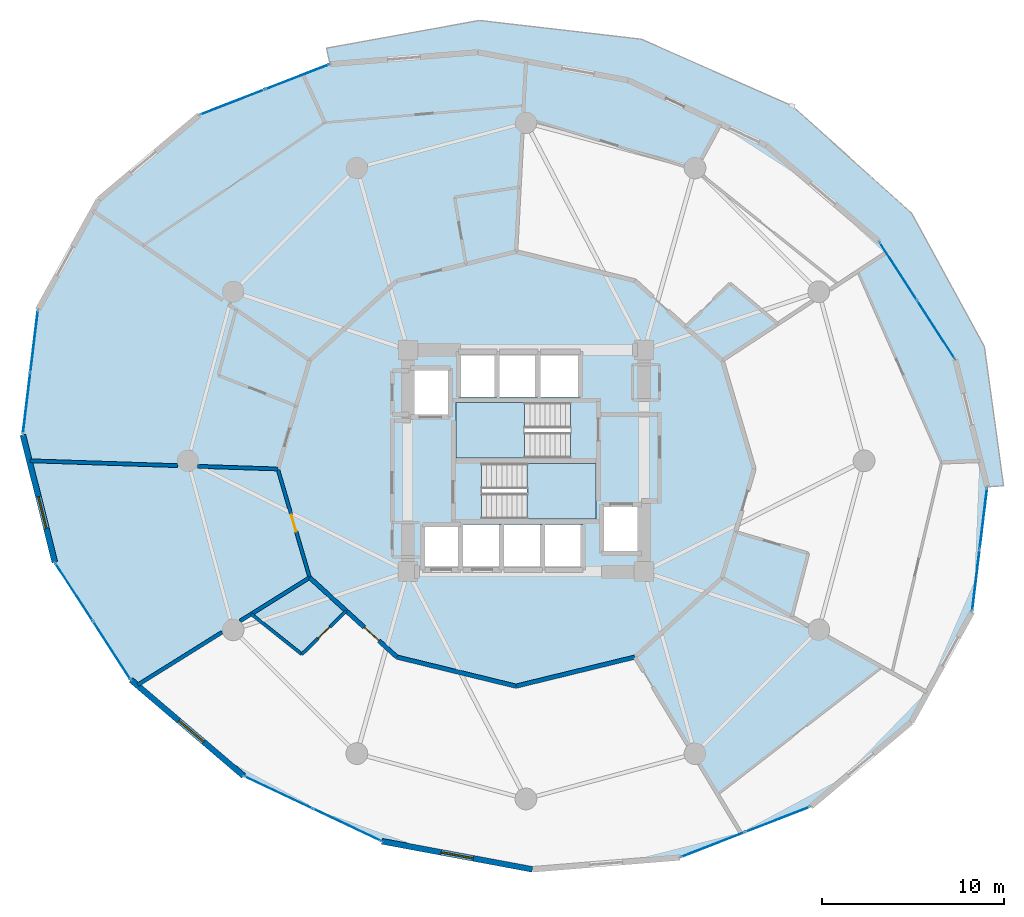
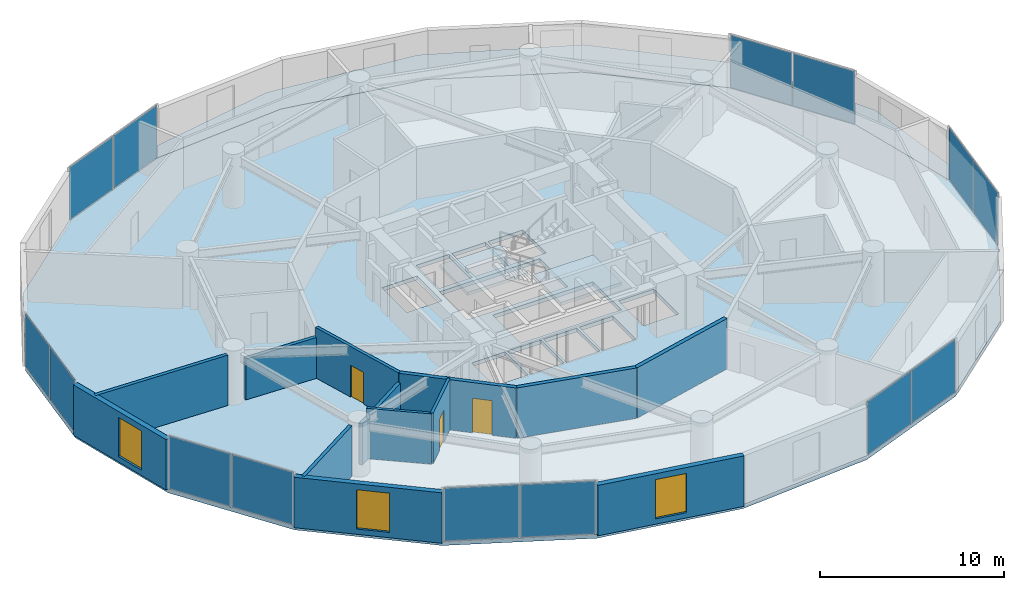
# One storey, part 20 of 26: 14 plates, 14 walls, 4 slabs, 3 doors, 3 windows, 6 openings, 9 elements without a shape of their own.
"""IFC4 building model written with IfcOpenShell, lengths in metres."""

import ifcopenshell
import ifcopenshell.guid

model = None  # the IFC model being written
_history = None  # IfcOwnerHistory: only IFC2X3 demands one
_inside = {}  # id of a spatial element -> (the spatial element, [elements in it])
_under = {}  # id of a project, library or spatial element -> (it, [spatial elements below it])
_declared = {}  # id of a project -> (the project, [libraries it declares])
_typed = {}  # id of a type object -> (the type object, [elements of that type])
_made_of = {}  # id of a material, layer set ... -> (it, [elements and type objects made of it])


def new_model(schema):
    """Start an empty IFC model of exactly this schema.

    Asked for "IFC4X3", IfcOpenShell would pick the latest addendum, in which some entities
    have other attributes; the version numbers below select the first issue.
    IFC2X3 requires an IfcOwnerHistory on every rooted entity: one is made here for all.
    """
    global model, _history
    if schema == "IFC4X3":
        model = ifcopenshell.file(schema_version=(4, 3, 0, 0))
    else:
        model = ifcopenshell.file(schema=schema)
    _inside.clear()
    _under.clear()
    _declared.clear()
    _typed.clear()
    _made_of.clear()
    _history = None
    if model.schema == "IFC2X3":
        org = make("IfcOrganization", Name="unknown")
        user = make(
            "IfcPersonAndOrganization",
            ThePerson=make("IfcPerson", FamilyName="unknown"),
            TheOrganization=org,
        )
        app = make(
            "IfcApplication",
            ApplicationDeveloper=org,
            Version="unknown",
            ApplicationFullName="unknown",
            ApplicationIdentifier="unknown",
        )
        _history = make(
            "IfcOwnerHistory",
            OwningUser=user,
            OwningApplication=app,
            ChangeAction="ADDED",
            CreationDate=0,
        )
    return model


def make(cls, **values):
    """One entity of the class cls with the attributes given. An attribute that is None is left unset."""
    return model.create_entity(
        cls, **{name: value for name, value in values.items() if value is not None}
    )


def rooted(cls, **values):
    """An entity with a GlobalId (a new one), such as an element, a storey or a relation."""
    return make(cls, GlobalId=ifcopenshell.guid.new(), OwnerHistory=_history, **values)


def si_unit(unit_type, name, prefix=None):
    """IfcSIUnit, for example si_unit("LENGTHUNIT", "METRE", prefix="MILLI")."""
    return make("IfcSIUnit", UnitType=unit_type, Prefix=prefix, Name=name)


def assignment(units):
    """IfcUnitAssignment: the units of a project."""
    return None if units is None else make("IfcUnitAssignment", Units=units)


def point(xyz):
    """IfcCartesianPoint."""
    return None if xyz is None else make("IfcCartesianPoint", Coordinates=xyz)


def direction(xyz):
    """IfcDirection."""
    return None if xyz is None else make("IfcDirection", DirectionRatios=xyz)


def frame(location, z_axis=None, x_axis=None):
    """IfcAxis2Placement3D, a coordinate frame: its origin and axes. An axis left out is left unset."""
    return make(
        "IfcAxis2Placement3D",
        Location=point(location),
        Axis=direction(z_axis),
        RefDirection=direction(x_axis),
    )


def frame_2d(location, x_axis=None):
    """IfcAxis2Placement2D, a coordinate frame in the plane: its origin and x axis."""
    return make(
        "IfcAxis2Placement2D", Location=point(location), RefDirection=direction(x_axis)
    )


def origin():
    """The frame at (0, 0, 0) with its axes left unset."""
    return frame((0.0, 0.0, 0.0))


def origin_2d():
    """The frame at (0, 0) in the plane with its x axis left unset."""
    return frame_2d((0.0, 0.0))


def place(relative_to, where):
    """IfcLocalPlacement: puts the frame where relative to a parent placement (None: the world)."""
    return make(
        "IfcLocalPlacement", PlacementRelTo=relative_to, RelativePlacement=where
    )


def context(
    kind, dimensions, precision=None, world=None, true_north=None, identifier=None
):
    """IfcGeometricRepresentationContext, for example the 3D "Model" context."""
    return make(
        "IfcGeometricRepresentationContext",
        ContextIdentifier=identifier,
        ContextType=kind,
        CoordinateSpaceDimension=dimensions,
        Precision=precision,
        WorldCoordinateSystem=world,
        TrueNorth=true_north,
    )


def subcontext(parent, identifier, kind, view, scale=None):
    """IfcGeometricRepresentationSubContext, for example "Body" below "Model"."""
    return make(
        "IfcGeometricRepresentationSubContext",
        ContextIdentifier=identifier,
        ContextType=kind,
        ParentContext=parent,
        TargetScale=scale,
        TargetView=view,
    )


def project(units=None, contexts=None):
    """IfcProject with its units and contexts."""
    return rooted(
        "IfcProject",
        Name="project",
        RepresentationContexts=contexts,
        UnitsInContext=assignment(units),
    )


def spatial(cls, under=None, at=None, **own):
    """A site, building, storey or space (cls), placed at a placement, below another one or the project."""
    s = rooted(cls, ObjectPlacement=at, **own)
    if under is not None:
        _under.setdefault(under.id(), (under, []))[1].append(s)
    return s


def polyline(points):
    """IfcPolyline through the points."""
    return make("IfcPolyline", Points=[point(p) for p in points])


def profile(cls, at=None, kind="AREA", **sizes):
    """A parametric profile (cls). Its sizes go by their IFC names, for example OverallWidth=200.0."""
    return make(cls, ProfileType=kind, Position=at, **sizes)


def rectangle(**sizes):
    """IfcRectangleProfileDef."""
    return profile("IfcRectangleProfileDef", **sizes)


def outline(outer, holes=None, kind="AREA"):
    """IfcArbitraryClosedProfileDef: a profile drawn as a closed curve; with holes, ...WithVoids."""
    if holes is None:
        return make("IfcArbitraryClosedProfileDef", ProfileType=kind, OuterCurve=outer)
    return make(
        "IfcArbitraryProfileDefWithVoids",
        ProfileType=kind,
        OuterCurve=outer,
        InnerCurves=holes,
    )


def extrude(swept, where, along, depth):
    """IfcExtrudedAreaSolid: the profile swept, set in the frame where, extruded along a direction by depth."""
    return make(
        "IfcExtrudedAreaSolid",
        SweptArea=swept,
        Position=where,
        ExtrudedDirection=direction(along),
        Depth=depth,
    )


def shape(context_of_items, identifier, shape_type, items):
    """IfcShapeRepresentation: the items that make up one representation, for example the "Body"."""
    return make(
        "IfcShapeRepresentation",
        ContextOfItems=context_of_items,
        RepresentationIdentifier=identifier,
        RepresentationType=shape_type,
        Items=items,
    )


def source(mapping_origin, context_of_items, identifier, shape_type, items):
    """IfcRepresentationMap: a shape defined once, which mapped items show again and again."""
    return make(
        "IfcRepresentationMap",
        MappingOrigin=mapping_origin,
        MappedRepresentation=shape(context_of_items, identifier, shape_type, items),
    )


def transform(
    local_origin,
    x_axis=None,
    y_axis=None,
    z_axis=None,
    scale=None,
    scale2=None,
    scale3=None,
    uniform=True,
):
    """IfcCartesianTransformationOperator3D, or its non-uniform kind. x_axis, y_axis, z_axis: its Axis1, 2, 3."""
    if uniform:
        return make(
            "IfcCartesianTransformationOperator3D",
            Axis1=direction(x_axis),
            Axis2=direction(y_axis),
            LocalOrigin=point(local_origin),
            Scale=scale,
            Axis3=direction(z_axis),
        )
    return make(
        "IfcCartesianTransformationOperator3DnonUniform",
        Axis1=direction(x_axis),
        Axis2=direction(y_axis),
        LocalOrigin=point(local_origin),
        Scale=scale,
        Axis3=direction(z_axis),
        Scale2=scale2,
        Scale3=scale3,
    )


def mapped(mapping_source, mapping_target):
    """IfcMappedItem: shows the shape of a source again, moved by a transform."""
    return make(
        "IfcMappedItem", MappingSource=mapping_source, MappingTarget=mapping_target
    )


def material(Name=None, Category=None):
    """IfcMaterial."""
    return make("IfcMaterial", Name=Name, Category=Category)


def layer(
    of_material, thickness, ventilated=None, Name=None, Category=None, Priority=None
):
    """IfcMaterialLayer: one layer of a wall or slab, of a material (None: an air gap)."""
    return make(
        "IfcMaterialLayer",
        Material=of_material,
        LayerThickness=thickness,
        IsVentilated=ventilated,
        Name=Name,
        Category=Category,
        Priority=Priority,
    )


def layer_set(layers, Name=None):
    """IfcMaterialLayerSet."""
    return make("IfcMaterialLayerSet", MaterialLayers=layers, LayerSetName=Name)


def made_of(thing, what):
    """Note that an element or type object is made of a material, layer set ...; save() writes the relation."""
    if what is not None:
        _made_of.setdefault(what.id(), (what, []))[1].append(thing)
    return thing


def type_object(cls, material=None, **own):
    """A type object (cls), such as IfcWallType, which elements share."""
    return made_of(rooted(cls, **own), material)


def element(
    cls,
    number,
    at=None,
    inside=None,
    cuts=None,
    type_object=None,
    material=None,
    context=None,
    identifier="Body",
    shape_type=None,
    held_by="IfcProductDefinitionShape",
    body=None,
    shapes=None,
    **own,
):
    """One element of the class cls, such as IfcWall. Its Tag is "e" and its number.

    at: its placement. inside: the storey or other place that contains it. cuts: it is an
    opening in that element (IfcRelVoidsElement). A single representation is given by context,
    identifier, shape_type and body (its items); several are given by shapes. held_by: the class
    of the entity that holds the representations. save() writes the other relations.
    """
    e = rooted(cls, Tag="e%d" % number, ObjectPlacement=at, **own)
    if body is not None:
        shapes = [shape(context, identifier, shape_type, body)]
    if shapes is not None:
        e.Representation = make(held_by, Representations=shapes)
    if inside is not None:
        _inside.setdefault(inside.id(), (inside, []))[1].append(e)
    if cuts is not None:
        rooted(
            "IfcRelVoidsElement", RelatingBuildingElement=cuts, RelatedOpeningElement=e
        )
    if type_object is not None:
        _typed.setdefault(type_object.id(), (type_object, []))[1].append(e)
    return made_of(e, material)


def fill(opening, filler):
    """IfcRelFillsElement: the door or window that sits in an opening."""
    return rooted(
        "IfcRelFillsElement",
        RelatingOpeningElement=opening,
        RelatedBuildingElement=filler,
    )


def aggregate(whole, parts):
    """IfcRelAggregates: a whole, such as a stair, and the parts it consists of."""
    return rooted("IfcRelAggregates", RelatingObject=whole, RelatedObjects=parts)


def save(model, path):
    """Write the relations noted so far, then the file.

    IfcRelAggregates (storeys below a building ...), IfcRelContainedInSpatialStructure (elements
    in a storey), IfcRelDefinesByType, IfcRelAssociatesMaterial and IfcRelDeclares: one each for
    every whole, place, type object, material and project.
    """
    for whole, parts in _under.values():
        aggregate(whole, parts)
    for where, things in _inside.values():
        rooted(
            "IfcRelContainedInSpatialStructure",
            RelatedElements=things,
            RelatingStructure=where,
        )
    for kind, things in _typed.values():
        rooted("IfcRelDefinesByType", RelatedObjects=things, RelatingType=kind)
    for what, things in _made_of.values():
        rooted("IfcRelAssociatesMaterial", RelatedObjects=things, RelatingMaterial=what)
    for by, libraries in _declared.values():
        rooted("IfcRelDeclares", RelatingContext=by, RelatedDefinitions=libraries)
    model.write(path)


model = new_model("IFC4")

# Units and contexts
model_context = context("Model", 3, precision=1e-05, world=origin(), true_north=direction((0.0, 1.0)))
body_context = subcontext(model_context, "Body", "Model", "MODEL_VIEW")
ifc_project = project(units=[si_unit("LENGTHUNIT", "METRE"), si_unit("AREAUNIT", "SQUARE_METRE"), si_unit("VOLUMEUNIT", "CUBIC_METRE"), si_unit("PLANEANGLEUNIT", "RADIAN"), si_unit("MASSUNIT", "GRAM", prefix="KILO")], contexts=[model_context])

# Site, building, storey
site_placement = place(None, origin())
site = spatial("IfcSite", under=ifc_project, at=site_placement, CompositionType="ELEMENT")
building_placement = place(site_placement, origin())
building = spatial("IfcBuilding", under=site, at=building_placement, Name="Solvirekh Grand Hotel", CompositionType="ELEMENT")
storey_placement = place(building_placement, frame((0.0, 0.0, 68.0)))
storey = spatial("IfcBuildingStorey", under=building, at=storey_placement, Name="L16", CompositionType="ELEMENT", Elevation=68.0)

# Slab
ifc_material_1 = material(Name="Concrete C50/60", Category="concrete")
ifc_layer_1 = layer(ifc_material_1, 0.215087890625)
ifc_layer_set_1 = layer_set([ifc_layer_1], Name="Concrete C50/60")
slab_type_1 = type_object("IfcSlabType", Name="ExtCrescentBalc_215", PredefinedType="FLOOR", material=ifc_layer_set_1)
slab_1_placement = place(storey_placement, frame((0.0, 0.0, -0.215087890625)))
element("IfcSlab", 1, at=slab_1_placement, inside=storey, type_object=slab_type_1, Name="L16 sweeping crescent balcony slab", PredefinedType="FLOOR", context=body_context, shape_type="SweptSolid", body=[
    extrude(outline(polyline([(26.27294921875, -1.3720703125), (25.214111328125, 6.2890625), (21.205078125, 13.6220703125), (14.633056640625, 19.528076171875), (6.34912109375, 23.18994140625), (-2.555908203125, 24.222900390625), (-10.971923828125, 22.696044921875), (-10.77392578125, 21.818115234375), (-2.65087890625, 22.47509765625), (5.618896484375, 20.93310546875), (13.22705078125, 17.341064453125), (19.427001953125, 12.052001953125), (23.613037109375, 5.5830078125), (25.375, -1.431884765625), (26.27294921875, -1.3720703125)])), origin(), (0.0, 0.0, 1.0), 0.215087890625),
])

# Stair, slab
ifc_material_2 = material(Name="Concrete C40/50", Category="concrete")
stair_type = type_object("IfcStairType", Name="Stair_Core_1450", PredefinedType="HALF_TURN_STAIR", material=ifc_material_2)
stair_1_placement = place(storey_placement, origin())
stair_1 = element("IfcStair", 2, at=stair_1_placement, inside=storey, type_object=stair_type, Name="L16 Enclosed exit stair ST-1", PredefinedType="HALF_TURN_STAIR")
ifc_layer_2 = layer(ifc_material_2, 0.199951171875)
ifc_layer_set_2 = layer_set([ifc_layer_2], Name="Concrete C40/50")
slab_type_2 = type_object("IfcSlabType", Name="Landing_Stair_200", PredefinedType="LANDING", material=ifc_layer_set_2)
slab_2_placement = place(storey_placement, frame((0.0, 0.0, 1.60009765625)))
slab_2 = element("IfcSlab", 3, at=slab_2_placement, type_object=slab_type_2, Name="ST-1 landing 1", PredefinedType="LANDING", context=body_context, shape_type="SweptSolid", body=[
    extrude(outline(polyline([(0.070068359375, -3.199951171875), (3.85009765625, -3.199951171875), (3.85009765625, -0.14990234375), (0.070068359375, -0.14990234375), (0.070068359375, -3.199951171875)])), origin(), (0.0, 0.0, 1.0), 0.199951171875),
])
aggregate(stair_1, [slab_2])

stair_2_placement = place(storey_placement, origin())
stair_2 = element("IfcStair", 4, at=stair_2_placement, inside=storey, type_object=stair_type, Name="L16 Enclosed exit stair ST-2", PredefinedType="HALF_TURN_STAIR")
slab_3_placement = place(storey_placement, frame((0.0, 0.0, 1.60009765625)))
slab_3 = element("IfcSlab", 5, at=slab_3_placement, type_object=slab_type_2, Name="ST-2 landing 1", PredefinedType="LANDING", context=body_context, shape_type="SweptSolid", body=[
    extrude(outline(polyline([(-0.070068359375, 3.199951171875), (-3.85009765625, 3.199951171875), (-3.85009765625, 0.14990234375), (-0.070068359375, 0.14990234375), (-0.070068359375, 3.199951171875)])), origin(), (0.0, 0.0, 1.0), 0.199951171875),
])
aggregate(stair_2, [slab_3])

# Slab
ifc_layer_3 = layer(ifc_material_1, 0.260009765625)
ifc_layer_set_3 = layer_set([ifc_layer_3], Name="Concrete C50/60")
slab_type_3 = type_object("IfcSlabType", Name="Slab_GuestZ1_260", PredefinedType="FLOOR", material=ifc_layer_set_3)
slab_4_placement = place(storey_placement, frame((0.0, 0.0, -0.260009765625)))
element("IfcSlab", 6, at=slab_4_placement, inside=storey, type_object=slab_type_3, Name="L16 structural floor slab", PredefinedType="FLOOR", context=body_context, shape_type="SweptSolid", body=[
    extrude(outline(polyline([(24.5400390625, -8.30810546875), (25.375, -1.431884765625), (23.613037109375, 5.5830078125), (19.427001953125, 12.052001953125), (13.22705078125, 17.341064453125), (5.618896484375, 20.93310546875), (-2.65087890625, 22.47509765625), (-10.77392578125, 21.818115234375), (-17.955078125, 19.02490234375), (-23.490966796875, 14.3701171875), (-26.840087890625, 8.30810546875), (-27.675048828125, 1.431884765625), (-25.9130859375, -5.5830078125), (-21.72705078125, -12.052001953125), (-15.527099609375, -17.341064453125), (-7.9189453125, -20.93310546875), (0.35107421875, -22.47509765625), (8.47412109375, -21.818115234375), (15.655029296875, -19.02490234375), (21.19091796875, -14.3701171875), (24.5400390625, -8.30810546875)]), holes=[polyline([(-2.444091796875, -0.14990234375), (3.85009765625, -0.14990234375), (3.85009765625, -3.199951171875), (-2.444091796875, -3.199951171875), (-2.444091796875, -0.14990234375)]), polyline([(2.444091796875, 0.14990234375), (-3.85009765625, 0.14990234375), (-3.85009765625, 3.199951171875), (2.444091796875, 3.199951171875), (2.444091796875, 0.14990234375)]), polyline([(-5.699951171875, -3.5), (-3.60009765625, -3.5), (-3.60009765625, -6.0), (-5.699951171875, -6.0), (-5.699951171875, -3.5)]), polyline([(-3.449951171875, -3.5), (-1.35009765625, -3.5), (-1.35009765625, -6.0), (-3.449951171875, -6.0), (-3.449951171875, -3.5)]), polyline([(-1.199951171875, -3.5), (0.89990234375, -3.5), (0.89990234375, -6.0), (-1.199951171875, -6.0), (-1.199951171875, -3.5)]), polyline([(1.050048828125, -3.5), (3.14990234375, -3.5), (3.14990234375, -6.0), (1.050048828125, -6.0), (1.050048828125, -3.5)]), polyline([(-3.699951171875, 6.0), (-1.60009765625, 6.0), (-1.60009765625, 3.5), (-3.699951171875, 3.5), (-3.699951171875, 6.0)]), polyline([(-1.449951171875, 6.0), (0.64990234375, 6.0), (0.64990234375, 3.5), (-1.449951171875, 3.5), (-1.449951171875, 6.0)]), polyline([(0.800048828125, 6.0), (3.0, 6.0), (3.0, 3.5), (0.800048828125, 3.5), (0.800048828125, 6.0)]), polyline([(-6.35009765625, 5.10009765625), (-4.14990234375, 5.10009765625), (-4.14990234375, 2.39990234375), (-6.35009765625, 2.39990234375), (-6.35009765625, 5.10009765625)]), polyline([(4.14990234375, -2.39990234375), (6.35009765625, -2.39990234375), (6.35009765625, -5.10009765625), (4.14990234375, -5.10009765625), (4.14990234375, -2.39990234375)])]), origin(), (0.0, 0.0, 1.0), 0.260009765625),
])

# Curtain wall, plates
ifc_material_3 = material(Name="Anodized Bronze Aluminium 6063-T6", Category="aluminium")
ifc_layer_4 = layer(ifc_material_3, 0.18994140625)
ifc_layer_set_4 = layer_set([ifc_layer_4], Name="Anodized Bronze Aluminium 6063-T6")
curtain_wall_type = type_object("IfcCurtainWallType", Name="CW_Sys2_LowZoneFlushBronzeCW", PredefinedType="NOTDEFINED", material=ifc_layer_set_4)
curtain_wall_1_placement = place(storey_placement, origin())
curtain_wall_1 = element("IfcCurtainWall", 7, at=curtain_wall_1_placement, inside=storey, type_object=curtain_wall_type, Name="L16 unitised bronze-glass curtain wall CW-L16-C15", PredefinedType="NOTDEFINED")
ifc_material_4 = material(Name="Low-E Tinted Bronze Laminated Glass", Category="aluminium")
ifc_layer_5 = layer(ifc_material_4, 0.0380859375)
ifc_layer_set_5 = layer_set([ifc_layer_5], Name="Low-E Tinted Bronze Laminated Glass")
plate_type = type_object("IfcPlateType", Name="CWPanel_Low_38", PredefinedType="CURTAIN_PANEL", material=ifc_layer_set_5)
shared_shape_1 = source(origin(), body_context, "Body", "SweptSolid", [
    extrude(rectangle(XDim=4.1015625, YDim=0.0380859375, at=origin_2d()), origin(), (0.0, 0.0, 1.0), 3.47998046875),
])
plate_1_placement = place(storey_placement, frame((-13.609130859375, -18.24658203125, 0.06005859375), z_axis=(0.0, 0.0, 1.0), x_axis=(0.904279240306, -0.426941513035, 0.0)))
plate_1 = element("IfcPlate", 8, at=plate_1_placement, type_object=plate_type, Name="U02 panel 1.1", PredefinedType="CURTAIN_PANEL", context=body_context, shape_type="MappedRepresentation", body=[
    mapped(shared_shape_1, transform((0.0, 0.0, 0.0), x_axis=(1.0, 0.0, 0.0), y_axis=(0.0, 1.0, 0.0), z_axis=(0.0, 0.0, 1.0), scale=1.0)),
])
plate_2_placement = place(storey_placement, frame((-9.8369140625, -20.027587890625, 0.06005859375), z_axis=(0.0, 0.0, 1.0), x_axis=(0.904279240306, -0.426941513035, 0.0)))
plate_2 = element("IfcPlate", 9, at=plate_2_placement, type_object=plate_type, Name="U02 panel 2.1", PredefinedType="CURTAIN_PANEL", context=body_context, shape_type="MappedRepresentation", body=[
    mapped(shared_shape_1, transform((0.0, 0.0, 0.0), x_axis=(1.0, 0.0, 0.0), y_axis=(0.0, 1.0, 0.0), z_axis=(0.0, 0.0, 1.0), scale=1.0)),
])
aggregate(curtain_wall_1, [plate_1, plate_2])

curtain_wall_2_placement = place(storey_placement, origin())
curtain_wall_2 = element("IfcCurtainWall", 10, at=curtain_wall_2_placement, inside=storey, type_object=curtain_wall_type, Name="L16 unitised bronze-glass curtain wall CW-L16-C03", PredefinedType="NOTDEFINED")
shared_shape_2 = source(origin(), body_context, "Body", "SweptSolid", [
    extrude(rectangle(XDim=3.74755859375, YDim=0.0380859375, at=origin_2d()), origin(), (0.0, 0.0, 1.0), 3.47998046875),
])
plate_3_placement = place(storey_placement, frame((22.556884765625, 7.21484375, 0.06005859375), z_axis=(0.0, 0.0, 1.0), x_axis=(-0.543267421675, 0.839559711127, 0.0)))
plate_3 = element("IfcPlate", 11, at=plate_3_placement, type_object=plate_type, Name="U02 panel 1.1", PredefinedType="CURTAIN_PANEL", context=body_context, shape_type="MappedRepresentation", body=[
    mapped(shared_shape_2, transform((0.0, 0.0, 0.0), x_axis=(1.0, 0.0, 0.0), y_axis=(0.0, 1.0, 0.0), z_axis=(0.0, 0.0, 1.0), scale=1.0)),
])
plate_4_placement = place(storey_placement, frame((20.48291015625, 10.420166015625, 0.06005859375), z_axis=(0.0, 0.0, 1.0), x_axis=(-0.543267421675, 0.839559711127, 0.0)))
plate_4 = element("IfcPlate", 12, at=plate_4_placement, type_object=plate_type, Name="U02 panel 2.1", PredefinedType="CURTAIN_PANEL", context=body_context, shape_type="MappedRepresentation", body=[
    mapped(shared_shape_2, transform((0.0, 0.0, 0.0), x_axis=(1.0, 0.0, 0.0), y_axis=(0.0, 1.0, 0.0), z_axis=(0.0, 0.0, 1.0), scale=1.0)),
])
aggregate(curtain_wall_2, [plate_3, plate_4])

curtain_wall_3_placement = place(storey_placement, origin())
curtain_wall_3 = element("IfcCurtainWall", 13, at=curtain_wall_3_placement, inside=storey, type_object=curtain_wall_type, Name="L16 unitised bronze-glass curtain wall CW-L16-C08", PredefinedType="NOTDEFINED")
plate_5_placement = place(storey_placement, frame((-12.58544921875, 21.113525390625, 0.06005859375), z_axis=(0.0, 0.0, 1.0), x_axis=(-0.931987620979, -0.362490102407, 0.0)))
plate_5 = element("IfcPlate", 14, at=plate_5_placement, type_object=plate_type, Name="U02 panel 1.1", PredefinedType="CURTAIN_PANEL", context=body_context, shape_type="MappedRepresentation", body=[
    mapped(shared_shape_2, transform((0.0, 0.0, 0.0), x_axis=(1.0, 0.0, 0.0), y_axis=(0.0, 1.0, 0.0), z_axis=(0.0, 0.0, 1.0), scale=1.0)),
])
plate_6_placement = place(storey_placement, frame((-16.1435546875, 19.7294921875, 0.06005859375), z_axis=(0.0, 0.0, 1.0), x_axis=(-0.931987620979, -0.362490102407, 0.0)))
plate_6 = element("IfcPlate", 15, at=plate_6_placement, type_object=plate_type, Name="U02 panel 2.1", PredefinedType="CURTAIN_PANEL", context=body_context, shape_type="MappedRepresentation", body=[
    mapped(shared_shape_2, transform((0.0, 0.0, 0.0), x_axis=(1.0, 0.0, 0.0), y_axis=(0.0, 1.0, 0.0), z_axis=(0.0, 0.0, 1.0), scale=1.0)),
])
aggregate(curtain_wall_3, [plate_5, plate_6])

curtain_wall_4_placement = place(storey_placement, origin())
curtain_wall_4 = element("IfcCurtainWall", 16, at=curtain_wall_4_placement, inside=storey, type_object=curtain_wall_type, Name="L16 unitised bronze-glass curtain wall CW-L16-C13", PredefinedType="NOTDEFINED")
plate_7_placement = place(storey_placement, frame((-24.85693359375, -7.21484375, 0.06005859375), z_axis=(0.0, 0.0, 1.0), x_axis=(0.543267421675, -0.839559711127, 0.0)))
plate_7 = element("IfcPlate", 17, at=plate_7_placement, type_object=plate_type, Name="U02 panel 1.1", PredefinedType="CURTAIN_PANEL", context=body_context, shape_type="MappedRepresentation", body=[
    mapped(shared_shape_2, transform((0.0, 0.0, 0.0), x_axis=(1.0, 0.0, 0.0), y_axis=(0.0, 1.0, 0.0), z_axis=(0.0, 0.0, 1.0), scale=1.0)),
])
plate_8_placement = place(storey_placement, frame((-22.782958984375, -10.420166015625, 0.06005859375), z_axis=(0.0, 0.0, 1.0), x_axis=(0.543267421675, -0.839559711127, 0.0)))
plate_8 = element("IfcPlate", 18, at=plate_8_placement, type_object=plate_type, Name="U02 panel 2.1", PredefinedType="CURTAIN_PANEL", context=body_context, shape_type="MappedRepresentation", body=[
    mapped(shared_shape_2, transform((0.0, 0.0, 0.0), x_axis=(1.0, 0.0, 0.0), y_axis=(0.0, 1.0, 0.0), z_axis=(0.0, 0.0, 1.0), scale=1.0)),
])
aggregate(curtain_wall_4, [plate_7, plate_8])

curtain_wall_5_placement = place(storey_placement, origin())
curtain_wall_5 = element("IfcCurtainWall", 19, at=curtain_wall_5_placement, inside=storey, type_object=curtain_wall_type, Name="L16 unitised bronze-glass curtain wall CW-L16-C18", PredefinedType="NOTDEFINED")
plate_9_placement = place(storey_placement, frame((10.28564453125, -21.113525390625, 0.06005859375), z_axis=(0.0, 0.0, 1.0), x_axis=(0.931987620979, 0.362490102407, 0.0)))
plate_9 = element("IfcPlate", 20, at=plate_9_placement, type_object=plate_type, Name="U02 panel 1.1", PredefinedType="CURTAIN_PANEL", context=body_context, shape_type="MappedRepresentation", body=[
    mapped(shared_shape_2, transform((0.0, 0.0, 0.0), x_axis=(1.0, 0.0, 0.0), y_axis=(0.0, 1.0, 0.0), z_axis=(0.0, 0.0, 1.0), scale=1.0)),
])
plate_10_placement = place(storey_placement, frame((13.843505859375, -19.7294921875, 0.06005859375), z_axis=(0.0, 0.0, 1.0), x_axis=(0.931987620979, 0.362490102407, 0.0)))
plate_10 = element("IfcPlate", 21, at=plate_10_placement, type_object=plate_type, Name="U02 panel 2.1", PredefinedType="CURTAIN_PANEL", context=body_context, shape_type="MappedRepresentation", body=[
    mapped(shared_shape_2, transform((0.0, 0.0, 0.0), x_axis=(1.0, 0.0, 0.0), y_axis=(0.0, 1.0, 0.0), z_axis=(0.0, 0.0, 1.0), scale=1.0)),
])
aggregate(curtain_wall_5, [plate_9, plate_10])

curtain_wall_6_placement = place(storey_placement, origin())
curtain_wall_6 = element("IfcCurtainWall", 22, at=curtain_wall_6_placement, inside=storey, type_object=curtain_wall_type, Name="L16 unitised bronze-glass curtain wall CW-L16-C01", PredefinedType="NOTDEFINED")
shared_shape_3 = source(origin(), body_context, "Body", "SweptSolid", [
    extrude(rectangle(XDim=3.358154296875, YDim=0.0380859375, at=origin_2d()), origin(), (0.0, 0.0, 1.0), 3.47998046875),
])
plate_11_placement = place(storey_placement, frame((24.7509765625, -6.571533203125, 0.06005859375), z_axis=(0.0, 0.0, 1.0), x_axis=(0.12055125539, 0.992707104248, 0.0)))
plate_11 = element("IfcPlate", 23, at=plate_11_placement, type_object=plate_type, Name="U02 panel 1.1", PredefinedType="CURTAIN_PANEL", context=body_context, shape_type="MappedRepresentation", body=[
    mapped(shared_shape_3, transform((0.0, 0.0, 0.0), x_axis=(1.0, 0.0, 0.0), y_axis=(0.0, 1.0, 0.0), z_axis=(0.0, 0.0, 1.0), scale=1.0)),
])
plate_12_placement = place(storey_placement, frame((25.1640625, -3.16845703125, 0.06005859375), z_axis=(0.0, 0.0, 1.0), x_axis=(0.12055125539, 0.992707104248, 0.0)))
plate_12 = element("IfcPlate", 24, at=plate_12_placement, type_object=plate_type, Name="U02 panel 2.1", PredefinedType="CURTAIN_PANEL", context=body_context, shape_type="MappedRepresentation", body=[
    mapped(shared_shape_3, transform((0.0, 0.0, 0.0), x_axis=(1.0, 0.0, 0.0), y_axis=(0.0, 1.0, 0.0), z_axis=(0.0, 0.0, 1.0), scale=1.0)),
])
aggregate(curtain_wall_6, [plate_11, plate_12])

curtain_wall_7_placement = place(storey_placement, origin())
curtain_wall_7 = element("IfcCurtainWall", 25, at=curtain_wall_7_placement, inside=storey, type_object=curtain_wall_type, Name="L16 unitised bronze-glass curtain wall CW-L16-C11", PredefinedType="NOTDEFINED")
plate_13_placement = place(storey_placement, frame((-27.05078125, 6.571533203125, 0.06005859375), z_axis=(0.0, 0.0, 1.0), x_axis=(-0.12055125539, -0.992707104248, 0.0)))
plate_13 = element("IfcPlate", 26, at=plate_13_placement, type_object=plate_type, Name="U02 panel 1.1", PredefinedType="CURTAIN_PANEL", context=body_context, shape_type="MappedRepresentation", body=[
    mapped(shared_shape_3, transform((0.0, 0.0, 0.0), x_axis=(1.0, 0.0, 0.0), y_axis=(0.0, 1.0, 0.0), z_axis=(0.0, 0.0, 1.0), scale=1.0)),
])
plate_14_placement = place(storey_placement, frame((-27.464111328125, 3.16845703125, 0.06005859375), z_axis=(0.0, 0.0, 1.0), x_axis=(-0.12055125539, -0.992707104248, 0.0)))
plate_14 = element("IfcPlate", 27, at=plate_14_placement, type_object=plate_type, Name="U02 panel 2.1", PredefinedType="CURTAIN_PANEL", context=body_context, shape_type="MappedRepresentation", body=[
    mapped(shared_shape_3, transform((0.0, 0.0, 0.0), x_axis=(1.0, 0.0, 0.0), y_axis=(0.0, 1.0, 0.0), z_axis=(0.0, 0.0, 1.0), scale=1.0)),
])
aggregate(curtain_wall_7, [plate_13, plate_14])

# Wall, opening, window
ifc_material_5 = material(Name="Precast concrete C45/55", Category="concrete")
ifc_layer_6 = layer(ifc_material_5, 0.320068359375)
ifc_layer_set_6 = layer_set([ifc_layer_6], Name="Precast concrete C45/55")
wall_type_1 = type_object("IfcWallType", Name="ExtLobbyWall_RC320", PredefinedType="SOLIDWALL", material=ifc_layer_set_6)
wall_1_placement = place(storey_placement, frame((-25.9130859375, -5.5830078125, 0.0), z_axis=(0.0, 0.0, 1.0), x_axis=(-0.243607685094, 0.969873855593, 0.0)))
wall_1 = element("IfcWall", 28, at=wall_1_placement, inside=storey, type_object=wall_type_1, Name="L16 exterior structural wall chord 12", PredefinedType="SOLIDWALL", context=body_context, shape_type="SweptSolid", body=[
    extrude(rectangle(XDim=7.23291015625, YDim=0.320068359375, at=frame_2d((3.616455078125, 0.0))), origin(), (0.0, 0.0, 1.0), 3.340087890625),
])
opening_1_placement = place(wall_1_placement, frame((1.923095703125, 0.0, 0.35009765625)))
opening_1 = element("IfcOpeningElement", 29, at=opening_1_placement, cuts=wall_1, Name="Opening W02", PredefinedType="OPENING", context=body_context, shape_type="SweptSolid", body=[
    extrude(rectangle(XDim=1.800048828125, YDim=2.60009765625, at=frame_2d((0.89990234375, 1.300048828125))), frame((0.0, 0.169921875, 0.0), z_axis=(0.0, -1.0, 0.0), x_axis=(1.0, 0.0, 0.0)), (0.0, 0.0, 1.0), 0.340087890625),
])
window_type = type_object("IfcWindowType", Name="Win_LobbyExt_1800X2600", PartitioningType="SINGLE_PANEL", PredefinedType="WINDOW", material=ifc_material_4)
window_1_placement = place(opening_1_placement, origin())
window_1 = element("IfcWindow", 30, at=window_1_placement, inside=storey, type_object=window_type, Name="L16 panoramic bronze-framed window 12", OverallHeight=2.60009765625, OverallWidth=1.800048828125, PartitioningType="SINGLE_PANEL", PredefinedType="WINDOW", context=body_context, shape_type="SweptSolid", body=[
    extrude(rectangle(XDim=1.800048828125, YDim=2.60009765625, at=frame_2d((0.89990234375, 1.300048828125))), frame((0.0, 0.030029296875, 0.0), z_axis=(0.0, -1.0, 0.0), x_axis=(1.0, 0.0, 0.0)), (0.0, 0.0, 1.0), 0.06005859375),
])
fill(opening_1, window_1)

wall_2_placement = place(storey_placement, frame((-15.527099609375, -17.341064453125, 0.0), z_axis=(0.0, 0.0, 1.0), x_axis=(-0.76078130933, 0.649008319958, 0.0)))
wall_2 = element("IfcWall", 31, at=wall_2_placement, inside=storey, type_object=wall_type_1, Name="L16 exterior structural wall chord 14", PredefinedType="SOLIDWALL", context=body_context, shape_type="SweptSolid", body=[
    extrude(rectangle(XDim=8.1494140625, YDim=0.320068359375, at=frame_2d((4.07470703125, 0.0))), origin(), (0.0, 0.0, 1.0), 3.340087890625),
])
opening_2_placement = place(wall_2_placement, frame((2.89208984375, 0.0, 0.35009765625)))
opening_2 = element("IfcOpeningElement", 32, at=opening_2_placement, cuts=wall_2, Name="Opening W02", PredefinedType="OPENING", context=body_context, shape_type="SweptSolid", body=[
    extrude(rectangle(XDim=1.800048828125, YDim=2.60009765625, at=frame_2d((0.89990234375, 1.300048828125))), frame((0.0, 0.169921875, 0.0), z_axis=(0.0, -1.0, 0.0), x_axis=(1.0, 0.0, 0.0)), (0.0, 0.0, 1.0), 0.340087890625),
])
window_2_placement = place(opening_2_placement, origin())
window_2 = element("IfcWindow", 33, at=window_2_placement, inside=storey, type_object=window_type, Name="L16 panoramic bronze-framed window 14", OverallHeight=2.60009765625, OverallWidth=1.800048828125, PartitioningType="SINGLE_PANEL", PredefinedType="WINDOW", context=body_context, shape_type="SweptSolid", body=[
    extrude(rectangle(XDim=1.800048828125, YDim=2.60009765625, at=frame_2d((0.89990234375, 1.300048828125))), frame((0.0, 0.030029296875, 0.0), z_axis=(0.0, -1.0, 0.0), x_axis=(1.0, 0.0, 0.0)), (0.0, 0.0, 1.0), 0.06005859375),
])
fill(opening_2, window_2)

wall_3_placement = place(storey_placement, frame((0.35107421875, -22.47509765625, 0.0), z_axis=(0.0, 0.0, 1.0), x_axis=(-0.983057640059, 0.183296689337, 0.0)))
wall_3 = element("IfcWall", 34, at=wall_3_placement, inside=storey, type_object=wall_type_1, Name="L16 exterior structural wall chord 16", PredefinedType="SOLIDWALL", context=body_context, shape_type="SweptSolid", body=[
    extrude(rectangle(XDim=8.41259765625, YDim=0.320068359375, at=frame_2d((4.206298828125, 0.0))), origin(), (0.0, 0.0, 1.0), 3.340087890625),
])
opening_3_placement = place(wall_3_placement, frame((3.305908203125, 0.0, 0.35009765625)))
opening_3 = element("IfcOpeningElement", 35, at=opening_3_placement, cuts=wall_3, Name="Opening W02", PredefinedType="OPENING", context=body_context, shape_type="SweptSolid", body=[
    extrude(rectangle(XDim=1.800048828125, YDim=2.60009765625, at=frame_2d((0.89990234375, 1.300048828125))), frame((0.0, 0.169921875, 0.0), z_axis=(0.0, -1.0, 0.0), x_axis=(1.0, 0.0, 0.0)), (0.0, 0.0, 1.0), 0.340087890625),
])
window_3_placement = place(opening_3_placement, origin())
window_3 = element("IfcWindow", 36, at=window_3_placement, inside=storey, type_object=window_type, Name="L16 panoramic bronze-framed window 16", OverallHeight=2.60009765625, OverallWidth=1.800048828125, PartitioningType="SINGLE_PANEL", PredefinedType="WINDOW", context=body_context, shape_type="SweptSolid", body=[
    extrude(rectangle(XDim=1.800048828125, YDim=2.60009765625, at=frame_2d((0.89990234375, 1.300048828125))), frame((0.0, 0.030029296875, 0.0), z_axis=(0.0, -1.0, 0.0), x_axis=(1.0, 0.0, 0.0)), (0.0, 0.0, 1.0), 0.06005859375),
])
fill(opening_3, window_3)

# Walls
ifc_material_6 = material(Name="Acoustic Gypsum Partition Assembly")
ifc_layer_7 = layer(ifc_material_6, 0.239990234375)
ifc_layer_set_7 = layer_set([ifc_layer_7], Name="Acoustic Gypsum Partition Assembly")
wall_type_2 = type_object("IfcWallType", Name="Part_Corridor_240", PredefinedType="PARTITIONING", material=ifc_layer_set_7)
wall_4_placement = place(storey_placement, frame((-11.89501953125, -6.425048828125, 0.0), z_axis=(0.0, 0.0, 1.0), x_axis=(0.738828610863, -0.673893377153, 0.0)))
element("IfcWall", 37, at=wall_4_placement, inside=storey, type_object=wall_type_2, Name="L16 En-suite Bathroom 1801 corridor backing wall", PredefinedType="PARTITIONING", context=body_context, shape_type="SweptSolid", body=[
    extrude(rectangle(XDim=2.725830078125, YDim=0.239990234375, at=frame_2d((1.36279296875, 0.0))), origin(), (0.0, 0.0, 1.0), 3.340087890625),
])
for number, where, z_axis, x_axis, name in (
    (38, (-7.10009765625, -10.799072265625, 0.0), (0.0, 0.0, 1.0), (0.971409027631, -0.237412091177, 0.0), "L16 Presidential Suite 1801 Living Room corridor wall 1"),
    (39, (-0.550048828125, -12.39990234375, 0.0), (0.0, 0.0, 1.0), (0.971409027631, 0.237412091177, 0.0), "L16 Presidential Suite 1801 Living Room corridor wall 2"),
):
    element("IfcWall", number, at=place(storey_placement, frame(where, z_axis=z_axis, x_axis=x_axis)), inside=storey, type_object=wall_type_2, Name=name, PredefinedType="PARTITIONING", context=body_context, shape_type="SweptSolid", body=[
        extrude(rectangle(XDim=6.742919921875, YDim=0.239990234375, at=frame_2d((3.37158203125, 0.0))), origin(), (0.0, 0.0, 1.0), 3.340087890625),
    ])

# Wall, opening, door
wall_5_placement = place(storey_placement, frame((-9.881103515625, -8.261962890625, 0.0), z_axis=(0.0, 0.0, 1.0), x_axis=(0.738759226612, -0.67396943929, 0.0)))
wall_5 = element("IfcWall", 40, at=wall_5_placement, inside=storey, type_object=wall_type_2, Name="L16 Presidential Suite 1801 Living Room entrance wall", PredefinedType="PARTITIONING", context=body_context, shape_type="SweptSolid", body=[
    extrude(rectangle(XDim=3.764404296875, YDim=0.239990234375, at=frame_2d((1.88232421875, 0.0))), origin(), (0.0, 0.0, 1.0), 3.340087890625),
])
opening_4_placement = place(wall_5_placement, frame((1.33203125, 0.0, 0.0)))
opening_4 = element("IfcOpeningElement", 41, at=opening_4_placement, cuts=wall_5, Name="Opening D08", PredefinedType="OPENING", context=body_context, shape_type="SweptSolid", body=[
    extrude(rectangle(XDim=1.10009765625, YDim=2.300048828125, at=frame_2d((0.550048828125, 1.14990234375))), frame((0.0, 0.1298828125, 0.0), z_axis=(0.0, -1.0, 0.0), x_axis=(1.0, 0.0, 0.0)), (0.0, 0.0, 1.0), 0.260009765625),
])
ifc_material_7 = material(Name="Fire-Rated Steel Door Assembly", Category="steel")
door_type_1 = type_object("IfcDoorType", Name="Door_SuiteEntry_1100X2300", OperationType="NOTDEFINED", PredefinedType="DOOR", material=ifc_material_7)
door_1_placement = place(opening_4_placement, origin())
door_1 = element("IfcDoor", 42, at=door_1_placement, inside=storey, type_object=door_type_1, Name="L16 Presidential Suite 1801 Living Room entrance door", OperationType="SINGLE_SWING_RIGHT", OverallHeight=2.300048828125, OverallWidth=1.10009765625, PredefinedType="DOOR", context=body_context, shape_type="SweptSolid", body=[
    extrude(rectangle(XDim=1.10009765625, YDim=2.300048828125, at=frame_2d((0.550048828125, 1.14990234375))), frame((0.0, 0.02490234375, 0.0), z_axis=(0.0, -1.0, 0.0), x_axis=(1.0, 0.0, 0.0)), (0.0, 0.0, 1.0), 0.050048828125),
])
fill(opening_4, door_1)

ifc_layer_8 = layer(ifc_material_6, 0.18994140625)
ifc_layer_set_8 = layer_set([ifc_layer_8], Name="Acoustic Gypsum Partition Assembly")
wall_type_3 = type_object("IfcWallType", Name="Part_GuestDemise_190", PredefinedType="PARTITIONING", material=ifc_layer_set_8)
wall_6_placement = place(storey_placement, frame((-13.64990234375, -0.449951171875, 0.0), z_axis=(0.0, 0.0, 1.0), x_axis=(0.281796988209, -0.959474052508, 0.0)))
wall_6 = element("IfcWall", 43, at=wall_6_placement, inside=storey, type_object=wall_type_3, Name="L16 L16 Private Resident Lounge entrance wall", PredefinedType="PARTITIONING", context=body_context, shape_type="SweptSolid", body=[
    extrude(rectangle(XDim=6.2275390625, YDim=0.18994140625, at=frame_2d((3.11376953125, 0.0))), origin(), (0.0, 0.0, 1.0), 3.340087890625),
])
opening_5_placement = place(wall_6_placement, frame((2.638916015625, 0.0, 0.0)))
opening_5 = element("IfcOpeningElement", 44, at=opening_5_placement, cuts=wall_6, Name="Opening D10", PredefinedType="OPENING", context=body_context, shape_type="SweptSolid", body=[
    extrude(rectangle(XDim=0.949951171875, YDim=2.10009765625, at=frame_2d((0.47509765625, 1.050048828125))), frame((0.0, 0.10498046875, 0.0), z_axis=(0.0, -1.0, 0.0), x_axis=(1.0, 0.0, 0.0)), (0.0, 0.0, 1.0), 0.2099609375),
])
door_type_2 = type_object("IfcDoorType", Name="Door_RoomInt_950X2100", OperationType="NOTDEFINED", PredefinedType="DOOR", material=ifc_material_3)
door_2_placement = place(opening_5_placement, origin())
door_2 = element("IfcDoor", 45, at=door_2_placement, inside=storey, type_object=door_type_2, Name="L16 L16 Private Resident Lounge entrance door", OperationType="SINGLE_SWING_LEFT", OverallHeight=2.10009765625, OverallWidth=0.949951171875, PredefinedType="DOOR", context=body_context, shape_type="SweptSolid", body=[
    extrude(rectangle(XDim=0.949951171875, YDim=2.10009765625, at=frame_2d((0.47509765625, 1.050048828125))), frame((0.0, 0.02490234375, 0.0), z_axis=(0.0, -1.0, 0.0), x_axis=(1.0, 0.0, 0.0)), (0.0, 0.0, 1.0), 0.050048828125),
])
fill(opening_5, door_2)

# Walls
ifc_layer_9 = layer(ifc_material_6, 0.2099609375)
ifc_layer_set_9 = layer_set([ifc_layer_9], Name="Acoustic Gypsum Partition Assembly")
wall_type_4 = type_object("IfcWallType", Name="Part_SuiteDemise_210", PredefinedType="PARTITIONING", material=ifc_layer_set_9)
wall_7_placement = place(storey_placement, frame((-13.64990234375, -0.449951171875, 0.0), z_axis=(0.0, 0.0, 1.0), x_axis=(-0.999452495438, 0.033086392398, 0.0)))
element("IfcWall", 46, at=wall_7_placement, inside=storey, type_object=wall_type_4, Name="L16 suite radial wall 7 (A)", PredefinedType="PARTITIONING", context=body_context, shape_type="SweptSolid", body=[
    extrude(rectangle(XDim=4.41259765625, YDim=0.2099609375, at=frame_2d((2.206298828125, 0.0))), origin(), (0.0, 0.0, 1.0), 2.708984375),
])
wall_8_placement = place(storey_placement, frame((-19.158935546875, -0.26806640625, 0.0), z_axis=(0.0, 0.0, 1.0), x_axis=(-0.999454971643, 0.033011507952, 0.0)))
element("IfcWall", 47, at=wall_8_placement, inside=storey, type_object=wall_type_4, Name="L16 suite radial wall 7 (B)", PredefinedType="PARTITIONING", context=body_context, shape_type="SweptSolid", body=[
    extrude(rectangle(XDim=8.120361328125, YDim=0.2099609375, at=frame_2d((4.06005859375, 0.0))), origin(), (0.0, 0.0, 1.0), 3.340087890625),
])
wall_9_placement = place(storey_placement, frame((-11.89501953125, -6.425048828125, 0.0), z_axis=(0.0, 0.0, 1.0), x_axis=(-0.848347688913, -0.529439513746, 0.0)))
element("IfcWall", 48, at=wall_9_placement, inside=storey, type_object=wall_type_4, Name="L16 suite radial wall 8 (A)", PredefinedType="PARTITIONING", context=body_context, shape_type="SweptSolid", body=[
    extrude(rectangle(XDim=4.51220703125, YDim=0.2099609375, at=frame_2d((2.256103515625, 0.0))), origin(), (0.0, 0.0, 1.0), 2.708984375),
])
wall_10_placement = place(storey_placement, frame((-16.714111328125, -9.43310546875, 0.0), z_axis=(0.0, 0.0, 1.0), x_axis=(-0.848349667148, -0.529436343908, 0.0)))
element("IfcWall", 49, at=wall_10_placement, inside=storey, type_object=wall_type_4, Name="L16 suite radial wall 8 (B)", PredefinedType="PARTITIONING", context=body_context, shape_type="SweptSolid", body=[
    extrude(rectangle(XDim=5.462158203125, YDim=0.2099609375, at=frame_2d((2.73095703125, 0.0))), origin(), (0.0, 0.0, 1.0), 3.340087890625),
])
ifc_layer_10 = layer(ifc_material_6, 0.175048828125)
ifc_layer_set_10 = layer_set([ifc_layer_10], Name="Acoustic Gypsum Partition Assembly")
wall_type_5 = type_object("IfcWallType", Name="Plumb_Ensuite_175", PredefinedType="PLUMBINGWALL", material=ifc_layer_set_10)
wall_11_placement = place(storey_placement, frame((-15.10888671875, -8.430908203125, 0.0), z_axis=(0.0, 0.0, 1.0), x_axis=(0.782172971141, -0.623061347876, 0.0)))
element("IfcWall", 50, at=wall_11_placement, inside=storey, type_object=wall_type_5, Name="L16 En-suite Bathroom 1801 outer plumbing wall", PredefinedType="PLUMBINGWALL", context=body_context, shape_type="SweptSolid", body=[
    extrude(rectangle(XDim=3.556640625, YDim=0.175048828125, at=frame_2d((1.7783203125, 0.0))), origin(), (0.0, 0.0, 1.0), 3.340087890625),
])

# Wall, opening, door
wall_12_placement = place(storey_placement, frame((-9.881103515625, -8.261962890625, 0.0), z_axis=(0.0, 0.0, 1.0), x_axis=(-0.715948341259, -0.698153258711, 0.0)))
wall_12 = element("IfcWall", 51, at=wall_12_placement, inside=storey, type_object=wall_type_5, Name="L16 En-suite Bathroom 1801 entry plumbing wall", PredefinedType="PLUMBINGWALL", context=body_context, shape_type="SweptSolid", body=[
    extrude(rectangle(XDim=3.416259765625, YDim=0.175048828125, at=frame_2d((1.7080078125, 0.0))), origin(), (0.0, 0.0, 1.0), 3.340087890625),
])
opening_6_placement = place(wall_12_placement, frame((1.258056640625, 0.0, 0.0)))
opening_6 = element("IfcOpeningElement", 52, at=opening_6_placement, cuts=wall_12, Name="Opening D09", PredefinedType="OPENING", context=body_context, shape_type="SweptSolid", body=[
    extrude(rectangle(XDim=0.89990234375, YDim=2.10009765625, at=frame_2d((0.449951171875, 1.050048828125))), frame((0.0, 0.09765625, 0.0), z_axis=(0.0, -1.0, 0.0), x_axis=(1.0, 0.0, 0.0)), (0.0, 0.0, 1.0), 0.195068359375),
])
door_type_3 = type_object("IfcDoorType", Name="Door_Ensuite_900X2100", OperationType="NOTDEFINED", PredefinedType="DOOR", material=ifc_material_3)
door_3_placement = place(opening_6_placement, origin())
door_3 = element("IfcDoor", 53, at=door_3_placement, inside=storey, type_object=door_type_3, Name="L16 En-suite Bathroom 1801 door", OperationType="SINGLE_SWING_LEFT", OverallHeight=2.10009765625, OverallWidth=0.89990234375, PredefinedType="DOOR", context=body_context, shape_type="SweptSolid", body=[
    extrude(rectangle(XDim=0.89990234375, YDim=2.10009765625, at=frame_2d((0.449951171875, 1.050048828125))), frame((0.0, 0.02490234375, 0.0), z_axis=(0.0, -1.0, 0.0), x_axis=(1.0, 0.0, 0.0)), (0.0, 0.0, 1.0), 0.050048828125),
])
fill(opening_6, door_3)

save(model, "model.ifc")
